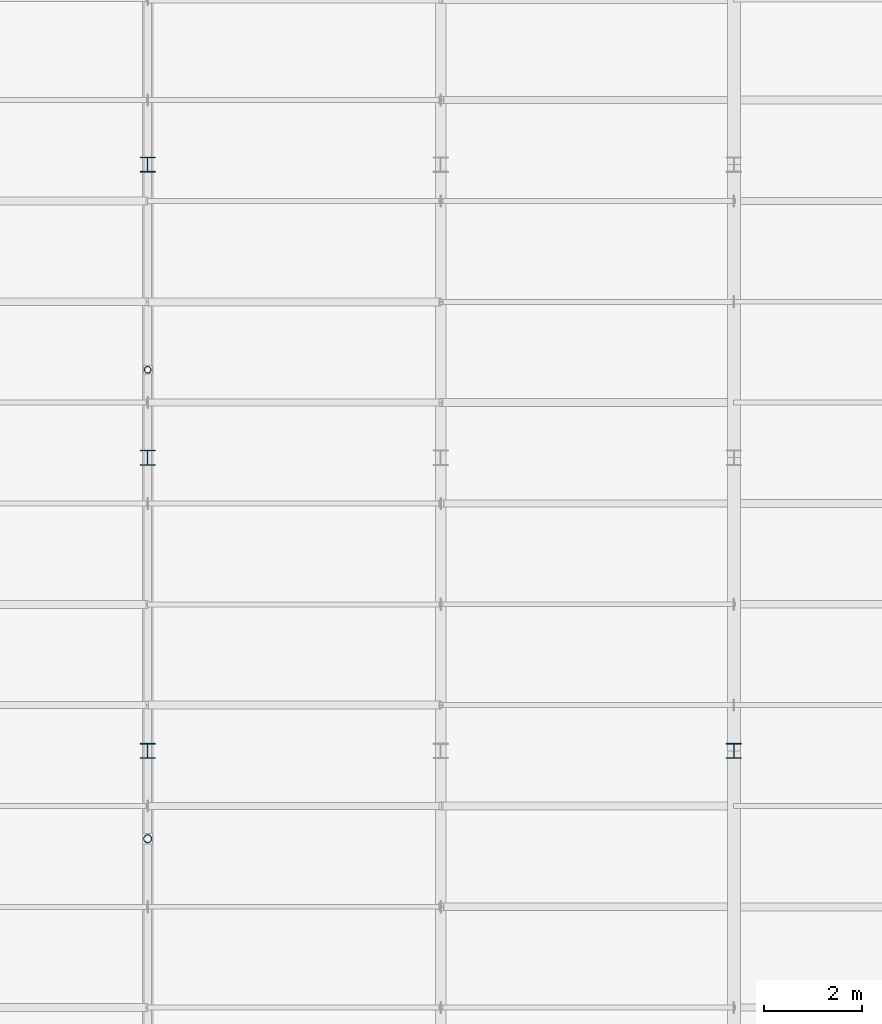
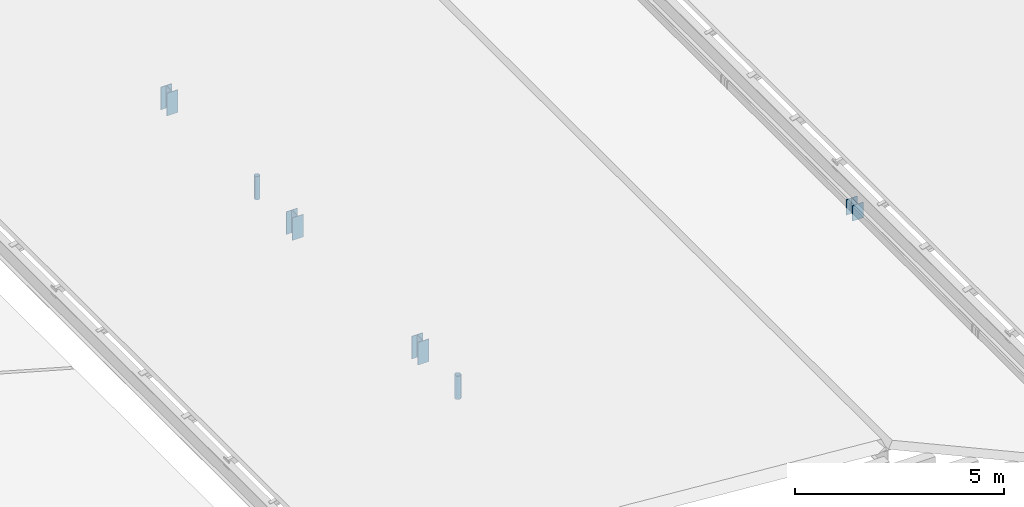
# One storey, part 29 of 74: 6 members.
"""IFC4 building model written with IfcOpenShell, lengths in metres."""

from ifc_helpers import new_model, si_unit, direction, frame, origin, origin_2d, place, context, subcontext, project, spatial, hollow_circle, i_section, extrude, material, material_profile, profile_set, type_object, element, save


model = new_model("IFC4")

# Units and contexts
model_context = context("Model", 3, precision=1e-05, world=origin(), true_north=direction((0.0, 1.0)))
body_context = subcontext(model_context, "Body", "Model", "MODEL_VIEW")
ifc_project = project(units=[si_unit("LENGTHUNIT", "METRE"), si_unit("AREAUNIT", "SQUARE_METRE"), si_unit("VOLUMEUNIT", "CUBIC_METRE"), si_unit("PLANEANGLEUNIT", "RADIAN"), si_unit("MASSUNIT", "GRAM", prefix="KILO")], contexts=[model_context])

# Site, building, storey
site_placement = place(None, origin())
site = spatial("IfcSite", under=ifc_project, at=site_placement, CompositionType="ELEMENT")
building_placement = place(site_placement, origin())
building = spatial("IfcBuilding", under=site, at=building_placement, Name="Siltcreek Boulevard Central Fire Station", CompositionType="ELEMENT")
storey_placement = place(building_placement, frame((0.0, 0.0, 25.199951171875)))
storey = spatial("IfcBuildingStorey", under=building, at=storey_placement, Name="RF", CompositionType="ELEMENT", Elevation=25.199951171875)

# Members
ifc_material_1 = material(Name="Structural steel ASTM A500 GrC", Category="steel")
ifc_material_profile_1 = material_profile(ifc_material_1, hollow_circle(Radius=0.06982421875, WallThickness=0.00634765625, at=origin_2d()), Name="HSS139.7X6.4")
ifc_profile_set_1 = profile_set([ifc_material_profile_1], Name="Structural steel ASTM A500 GrC")
member_type_1 = type_object("IfcMemberType", Name="BR_CHS139", PredefinedType="BRACE", material=ifc_profile_set_1)
member_1_placement = place(storey_placement, frame((72.0, 43.800048828125, -11.201416015625), z_axis=(0.0, 0.0, 1.0), x_axis=(1.0, 0.0, 0.0)))
element("IfcMember", 1, at=member_1_placement, inside=storey, type_object=member_type_1, Name="Roof truss web strut BR-045", PredefinedType="BRACE", context=body_context, shape_type="SweptSolid", body=[
    extrude(hollow_circle(Radius=0.06982421875, WallThickness=0.00634765625, at=origin_2d()), origin(), (0.0, 0.0, 1.0), 0.679931640625),
])
ifc_material_profile_2 = material_profile(ifc_material_1, hollow_circle(Radius=0.084228515625, WallThickness=0.007080078125, at=origin_2d()), Name="HSS168.3X7.1")
ifc_profile_set_2 = profile_set([ifc_material_profile_2], Name="Structural steel ASTM A500 GrC")
member_type_2 = type_object("IfcMemberType", Name="BR_CHS168", PredefinedType="BRACE", material=ifc_profile_set_2)
member_2_placement = place(storey_placement, frame((72.0, 34.199951171875, -11.201416015625), z_axis=(0.0, 0.0, 1.0), x_axis=(1.0, 0.0, 0.0)))
element("IfcMember", 2, at=member_2_placement, inside=storey, type_object=member_type_2, Name="Roof truss web strut BR-044", PredefinedType="BRACE", context=body_context, shape_type="SweptSolid", body=[
    extrude(hollow_circle(Radius=0.084228515625, WallThickness=0.007080078125, at=origin_2d()), origin(), (0.0, 0.0, 1.0), 0.679931640625),
])
ifc_material_2 = material(Name="Structural steel ASTM A992 Gr50", Category="steel")
ifc_material_profile_3 = material_profile(ifc_material_2, i_section(OverallWidth=0.304931640625, OverallDepth=0.30810546875, WebThickness=0.010009765625, FlangeThickness=0.015380859375, at=origin_2d()), Name="W310X97")
ifc_profile_set_3 = profile_set([ifc_material_profile_3], Name="Structural steel ASTM A992 Gr50")
member_type_3 = type_object("IfcMemberType", Name="CH_W310X97", PredefinedType="CHORD", material=ifc_profile_set_3)
for number, where, z_axis, x_axis, name in (
    (3, (72.0, 36.0, -11.199951171875), (0.0, 0.0, 1.0), (1.0, 0.0, 0.0), "Roof bearing truss post 0721"),
    (4, (72.0, 42.0, -11.199951171875), (0.0, 0.0, 1.0), (1.0, 0.0, 0.0), "Roof bearing truss post 0722"),
    (5, (72.0, 48.0, -11.199951171875), (0.0, 0.0, 1.0), (1.0, 0.0, 0.0), "Roof bearing truss post 0723"),
):
    element("IfcMember", number, at=place(storey_placement, frame(where, z_axis=z_axis, x_axis=x_axis)), inside=storey, type_object=member_type_3, Name=name, PredefinedType="CHORD", context=body_context, shape_type="SweptSolid", body=[
        extrude(i_section(OverallWidth=0.304931640625, OverallDepth=0.30810546875, WebThickness=0.010009765625, FlangeThickness=0.015380859375, at=origin_2d()), origin(), (0.0, 0.0, 1.0), 0.66259765625),
    ])
member_3_placement = place(storey_placement, frame((84.0, 36.0, -11.199951171875), z_axis=(0.0, 0.0, 1.0), x_axis=(1.0, 0.0, 0.0)))
element("IfcMember", 6, at=member_3_placement, inside=storey, type_object=member_type_3, Name="Roof bearing truss post 0733", PredefinedType="CHORD", context=body_context, shape_type="SweptSolid", body=[
    extrude(i_section(OverallWidth=0.304931640625, OverallDepth=0.30810546875, WebThickness=0.010009765625, FlangeThickness=0.015380859375, at=origin_2d()), origin(), (0.0, 0.0, 1.0), 0.453125),
])

save(model, "model.ifc")
